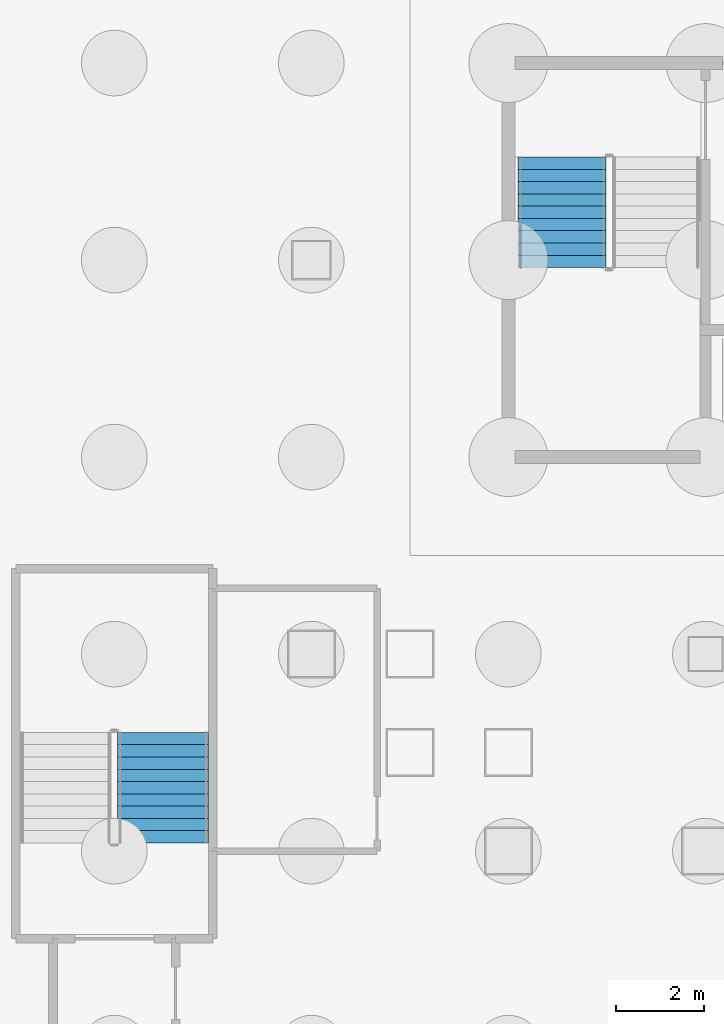
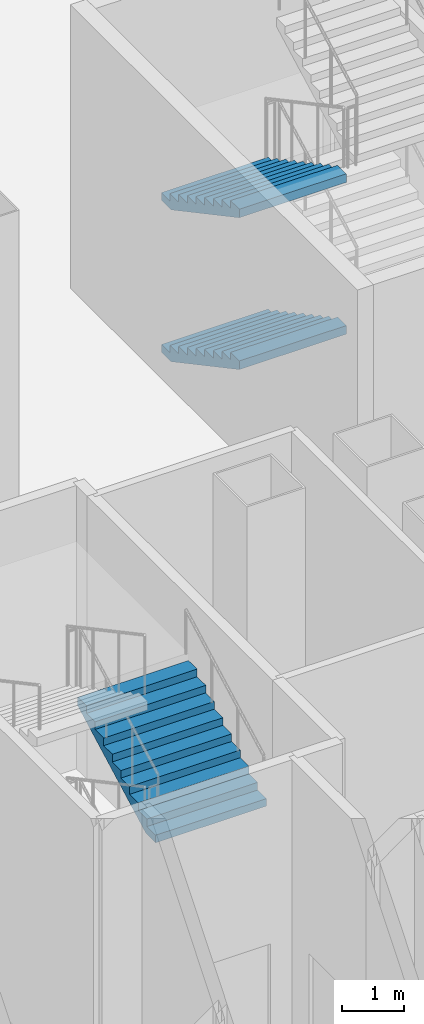
# One storey, part 9 of 25: 3 stair flights, 2 elements without a shape of their own.
"""IFC4 building model written with IfcOpenShell, lengths in metres."""

from ifc_helpers import new_model, si_unit, direction, frame, origin, place, context, subcontext, project, spatial, polygons, material, type_object, element, aggregate, save


model = new_model("IFC4")

# Units and contexts
model_context = context("Model", 3, precision=1e-05, world=origin(), true_north=direction((0.0, 1.0)))
body_context = subcontext(model_context, "Body", "Model", "MODEL_VIEW")
ifc_project = project(units=[si_unit("LENGTHUNIT", "METRE"), si_unit("AREAUNIT", "SQUARE_METRE"), si_unit("VOLUMEUNIT", "CUBIC_METRE"), si_unit("PLANEANGLEUNIT", "RADIAN"), si_unit("MASSUNIT", "GRAM", prefix="KILO")], contexts=[model_context])

# Site, building, storey
site_placement = place(None, origin())
site = spatial("IfcSite", under=ifc_project, at=site_placement, CompositionType="ELEMENT")
building_placement = place(site_placement, origin())
building = spatial("IfcBuilding", under=site, at=building_placement, Name="Caravel Reach Hotel and Residences", CompositionType="ELEMENT")
storey_placement = place(building_placement, frame((0.0, 0.0, -6.0)))
storey = spatial("IfcBuildingStorey", under=building, at=storey_placement, Name="B1", CompositionType="ELEMENT", Elevation=-6.0)

# Stair, stair flights
ifc_material_1 = material(Name="Concrete C40", Category="concrete")
stair_type = type_object("IfcStairType", Name="Core stair", PredefinedType="HALF_TURN_STAIR", material=ifc_material_1)
stair_1_placement = place(storey_placement, origin())
stair_1 = element("IfcStair", 1, at=stair_1_placement, inside=storey, type_object=stair_type, Name="B1 Exit stair A", PredefinedType="HALF_TURN_STAIR")
ifc_material_2 = material(Name="Concrete C40", Category="concrete")
stair_flight_type = type_object("IfcStairFlightType", Name="Core stair flight", PredefinedType="STRAIGHT", material=ifc_material_2)
stair_flight_1_placement = place(storey_placement, frame((19.22509765625, 29.35009765625, 0.0), z_axis=(0.0, 0.0, 1.0), x_axis=(0.0, -1.0, 0.0)))
stair_flight_1 = element("IfcStairFlight", 2, at=stair_flight_1_placement, type_object=stair_flight_type, Name="ST-A flight 1", NumberOfRisers=10, NumberOfTreads=9, PredefinedType="STRAIGHT", RiserHeight=0.15, TreadLength=0.28, context=body_context, shape_type="Tessellation", body=[
    polygons([(0.3174408016601862, 1.0, 0.0), (0.3174408016601862, 0.6666666666666667, 0.0), (0.3174408016601862, 0.33333333333333337, 0.0), (0.3174408016601862, 0.0, 0.0), (0.3174408016601862, -0.33333333333333326, 0.0), (0.3174408016601862, -0.6666666666666667, 0.0), (0.3174408016601862, -1.0, 0.0), (2.5210000000000004, 1.0, 1.1799424276820432), (2.5210000000000004, 0.6666666666666667, 1.1799424276820432), (2.5210000000000004, 0.33333333333333337, 1.1799424276820432), (2.5210000000000004, 0.0, 1.1799424276820432), (2.5210000000000004, -0.33333333333333326, 1.1799424276820432), (2.5210000000000004, -0.6666666666666667, 1.1799424276820432), (2.5210000000000004, -1.0, 1.1799424276820432), (2.5210000000000004, 1.0, 1.3499999999999999), (2.5210000000000004, 0.6666666666666667, 1.3499999999999999), (2.5210000000000004, 0.33333333333333337, 1.3499999999999999), (2.5210000000000004, 0.0, 1.3499999999999999), (2.5210000000000004, -0.33333333333333326, 1.3499999999999999), (2.5210000000000004, -0.6666666666666667, 1.3499999999999999), (2.5210000000000004, -1.0, 1.3499999999999999), (2.24, 1.0, 1.3499999999999999), (2.24, 0.6666666666666667, 1.3499999999999999), (2.24, 0.33333333333333337, 1.3499999999999999), (2.24, 0.0, 1.3499999999999999), (2.24, -0.33333333333333326, 1.3499999999999999), (2.24, -0.6666666666666667, 1.3499999999999999), (2.24, -1.0, 1.3499999999999999), (2.24, 1.0, 1.2), (2.24, 0.6666666666666667, 1.2), (2.24, 0.33333333333333337, 1.2), (2.24, 0.0, 1.2), (2.24, -0.33333333333333326, 1.2), (2.24, -0.6666666666666667, 1.2), (2.24, -1.0, 1.2), (1.9600000000000002, 1.0, 1.2), (1.9600000000000002, 0.6666666666666667, 1.2), (1.9600000000000002, 0.33333333333333337, 1.2), (1.9600000000000002, 0.0, 1.2), (1.9600000000000002, -0.33333333333333326, 1.2), (1.9600000000000002, -0.6666666666666667, 1.2), (1.9600000000000002, -1.0, 1.2), (1.9600000000000002, 1.0, 1.05), (1.9600000000000002, 0.6666666666666667, 1.05), (1.9600000000000002, 0.33333333333333337, 1.05), (1.9600000000000002, 0.0, 1.05), (1.9600000000000002, -0.33333333333333326, 1.05), (1.9600000000000002, -0.6666666666666667, 1.05), (1.9600000000000002, -1.0, 1.05), (1.6800000000000002, 1.0, 1.05), (1.6800000000000002, 0.6666666666666667, 1.05), (1.6800000000000002, 0.33333333333333337, 1.05), (1.6800000000000002, 0.0, 1.05), (1.6800000000000002, -0.33333333333333326, 1.05), (1.6800000000000002, -0.6666666666666667, 1.05), (1.6800000000000002, -1.0, 1.05), (1.6800000000000002, 1.0, 0.8999999999999999), (1.6800000000000002, 0.6666666666666667, 0.8999999999999999), (1.6800000000000002, 0.33333333333333337, 0.8999999999999999), (1.6800000000000002, 0.0, 0.8999999999999999), (1.6800000000000002, -0.33333333333333326, 0.8999999999999999), (1.6800000000000002, -0.6666666666666667, 0.8999999999999999), (1.6800000000000002, -1.0, 0.8999999999999999), (1.4000000000000001, 1.0, 0.8999999999999999), (1.4000000000000001, 0.6666666666666667, 0.8999999999999999), (1.4000000000000001, 0.33333333333333337, 0.8999999999999999), (1.4000000000000001, 0.0, 0.8999999999999999), (1.4000000000000001, -0.33333333333333326, 0.8999999999999999), (1.4000000000000001, -0.6666666666666667, 0.8999999999999999), (1.4000000000000001, -1.0, 0.8999999999999999), (1.4000000000000001, 1.0, 0.75), (1.4000000000000001, 0.6666666666666667, 0.75), (1.4000000000000001, 0.33333333333333337, 0.75), (1.4000000000000001, 0.0, 0.75), (1.4000000000000001, -0.33333333333333326, 0.75), (1.4000000000000001, -0.6666666666666667, 0.75), (1.4000000000000001, -1.0, 0.75), (1.12, 1.0, 0.75), (1.12, 0.6666666666666667, 0.75), (1.12, 0.33333333333333337, 0.75), (1.12, 0.0, 0.75), (1.12, -0.33333333333333326, 0.75), (1.12, -0.6666666666666667, 0.75), (1.12, -1.0, 0.75), (1.12, 1.0, 0.6), (1.12, 0.6666666666666667, 0.6), (1.12, 0.33333333333333337, 0.6), (1.12, 0.0, 0.6), (1.12, -0.33333333333333326, 0.6), (1.12, -0.6666666666666667, 0.6), (1.12, -1.0, 0.6), (0.8400000000000001, 1.0, 0.6), (0.8400000000000001, 0.6666666666666667, 0.6), (0.8400000000000001, 0.33333333333333337, 0.6), (0.8400000000000001, 0.0, 0.6), (0.8400000000000001, -0.33333333333333326, 0.6), (0.8400000000000001, -0.6666666666666667, 0.6), (0.8400000000000001, -1.0, 0.6), (0.8400000000000001, 1.0, 0.44999999999999996), (0.8400000000000001, 0.6666666666666667, 0.44999999999999996), (0.8400000000000001, 0.33333333333333337, 0.44999999999999996), (0.8400000000000001, 0.0, 0.44999999999999996), (0.8400000000000001, -0.33333333333333326, 0.44999999999999996), (0.8400000000000001, -0.6666666666666667, 0.44999999999999996), (0.8400000000000001, -1.0, 0.44999999999999996), (0.56, 1.0, 0.44999999999999996), (0.56, 0.6666666666666667, 0.44999999999999996), (0.56, 0.33333333333333337, 0.44999999999999996), (0.56, 0.0, 0.44999999999999996), (0.56, -0.33333333333333326, 0.44999999999999996), (0.56, -0.6666666666666667, 0.44999999999999996), (0.56, -1.0, 0.44999999999999996), (0.56, 1.0, 0.3), (0.56, 0.6666666666666667, 0.3), (0.56, 0.33333333333333337, 0.3), (0.56, 0.0, 0.3), (0.56, -0.33333333333333326, 0.3), (0.56, -0.6666666666666667, 0.3), (0.56, -1.0, 0.3), (0.28, 1.0, 0.3), (0.28, 0.6666666666666667, 0.3), (0.28, 0.33333333333333337, 0.3), (0.28, 0.0, 0.3), (0.28, -0.33333333333333326, 0.3), (0.28, -0.6666666666666667, 0.3), (0.28, -1.0, 0.3), (0.28, 1.0, 0.15), (0.28, 0.6666666666666667, 0.15), (0.28, 0.33333333333333337, 0.15), (0.28, 0.0, 0.15), (0.28, -0.33333333333333326, 0.15), (0.28, -0.6666666666666667, 0.15), (0.28, -1.0, 0.15), (-0.001, 1.0, 0.15), (-0.001, 0.6666666666666667, 0.15), (-0.001, 0.33333333333333337, 0.15), (-0.001, 0.0, 0.15), (-0.001, -0.33333333333333326, 0.15), (-0.001, -0.6666666666666667, 0.15), (-0.001, -1.0, 0.15), (-0.001, 1.0, 0.0), (-0.001, 0.6666666666666667, 0.0), (-0.001, 0.33333333333333337, 0.0), (-0.001, 0.0, 0.0), (-0.001, -0.33333333333333326, 0.0), (-0.001, -0.6666666666666667, 0.0), (-0.001, -1.0, 0.0)], [[[141, 134, 127, 120, 113, 106, 99, 92, 85, 78, 71, 64, 57, 50, 43, 36, 29, 22, 15, 8, 1]], [[7, 14, 21, 28, 35, 42, 49, 56, 63, 70, 77, 84, 91, 98, 105, 112, 119, 126, 133, 140, 147]], [[1, 8, 9, 2]], [[2, 9, 10, 3]], [[3, 10, 11, 4]], [[4, 11, 12, 5]], [[5, 12, 13, 6]], [[6, 13, 14, 7]], [[8, 15, 16, 9]], [[9, 16, 17, 10]], [[10, 17, 18, 11]], [[11, 18, 19, 12]], [[12, 19, 20, 13]], [[13, 20, 21, 14]], [[15, 22, 23, 16]], [[16, 23, 24, 17]], [[17, 24, 25, 18]], [[18, 25, 26, 19]], [[19, 26, 27, 20]], [[20, 27, 28, 21]], [[22, 29, 30, 23]], [[23, 30, 31, 24]], [[24, 31, 32, 25]], [[25, 32, 33, 26]], [[26, 33, 34, 27]], [[27, 34, 35, 28]], [[29, 36, 37, 30]], [[30, 37, 38, 31]], [[31, 38, 39, 32]], [[32, 39, 40, 33]], [[33, 40, 41, 34]], [[34, 41, 42, 35]], [[36, 43, 44, 37]], [[37, 44, 45, 38]], [[38, 45, 46, 39]], [[39, 46, 47, 40]], [[40, 47, 48, 41]], [[41, 48, 49, 42]], [[43, 50, 51, 44]], [[44, 51, 52, 45]], [[45, 52, 53, 46]], [[46, 53, 54, 47]], [[47, 54, 55, 48]], [[48, 55, 56, 49]], [[50, 57, 58, 51]], [[51, 58, 59, 52]], [[52, 59, 60, 53]], [[53, 60, 61, 54]], [[54, 61, 62, 55]], [[55, 62, 63, 56]], [[57, 64, 65, 58]], [[58, 65, 66, 59]], [[59, 66, 67, 60]], [[60, 67, 68, 61]], [[61, 68, 69, 62]], [[62, 69, 70, 63]], [[64, 71, 72, 65]], [[65, 72, 73, 66]], [[66, 73, 74, 67]], [[67, 74, 75, 68]], [[68, 75, 76, 69]], [[69, 76, 77, 70]], [[71, 78, 79, 72]], [[72, 79, 80, 73]], [[73, 80, 81, 74]], [[74, 81, 82, 75]], [[75, 82, 83, 76]], [[76, 83, 84, 77]], [[78, 85, 86, 79]], [[79, 86, 87, 80]], [[80, 87, 88, 81]], [[81, 88, 89, 82]], [[82, 89, 90, 83]], [[83, 90, 91, 84]], [[85, 92, 93, 86]], [[86, 93, 94, 87]], [[87, 94, 95, 88]], [[88, 95, 96, 89]], [[89, 96, 97, 90]], [[90, 97, 98, 91]], [[92, 99, 100, 93]], [[93, 100, 101, 94]], [[94, 101, 102, 95]], [[95, 102, 103, 96]], [[96, 103, 104, 97]], [[97, 104, 105, 98]], [[99, 106, 107, 100]], [[100, 107, 108, 101]], [[101, 108, 109, 102]], [[102, 109, 110, 103]], [[103, 110, 111, 104]], [[104, 111, 112, 105]], [[106, 113, 114, 107]], [[107, 114, 115, 108]], [[108, 115, 116, 109]], [[109, 116, 117, 110]], [[110, 117, 118, 111]], [[111, 118, 119, 112]], [[113, 120, 121, 114]], [[114, 121, 122, 115]], [[115, 122, 123, 116]], [[116, 123, 124, 117]], [[117, 124, 125, 118]], [[118, 125, 126, 119]], [[120, 127, 128, 121]], [[121, 128, 129, 122]], [[122, 129, 130, 123]], [[123, 130, 131, 124]], [[124, 131, 132, 125]], [[125, 132, 133, 126]], [[127, 134, 135, 128]], [[128, 135, 136, 129]], [[129, 136, 137, 130]], [[130, 137, 138, 131]], [[131, 138, 139, 132]], [[132, 139, 140, 133]], [[134, 141, 142, 135]], [[135, 142, 143, 136]], [[136, 143, 144, 137]], [[137, 144, 145, 138]], [[138, 145, 146, 139]], [[139, 146, 147, 140]], [[141, 1, 2, 142]], [[142, 2, 3, 143]], [[143, 3, 4, 144]], [[144, 4, 5, 145]], [[145, 5, 6, 146]], [[146, 6, 7, 147]]], closed=True),
])
stair_flight_2_placement = place(storey_placement, frame((19.22509765625, 29.35009765625, 3.0), z_axis=(0.0, 0.0, 1.0), x_axis=(0.0, -1.0, 0.0)))
stair_flight_2 = element("IfcStairFlight", 3, at=stair_flight_2_placement, type_object=stair_flight_type, Name="ST-A flight 3", NumberOfRisers=10, NumberOfTreads=9, PredefinedType="STRAIGHT", RiserHeight=0.15, TreadLength=0.28, context=body_context, shape_type="Tessellation", body=[
    polygons([(0.3174408016601862, 1.0, 0.0), (0.3174408016601862, 0.6666666666666667, 0.0), (0.3174408016601862, 0.33333333333333337, 0.0), (0.3174408016601862, 0.0, 0.0), (0.3174408016601862, -0.33333333333333326, 0.0), (0.3174408016601862, -0.6666666666666667, 0.0), (0.3174408016601862, -1.0, 0.0), (2.5210000000000004, 1.0, 1.1799424276820432), (2.5210000000000004, 0.6666666666666667, 1.1799424276820432), (2.5210000000000004, 0.33333333333333337, 1.1799424276820432), (2.5210000000000004, 0.0, 1.1799424276820432), (2.5210000000000004, -0.33333333333333326, 1.1799424276820432), (2.5210000000000004, -0.6666666666666667, 1.1799424276820432), (2.5210000000000004, -1.0, 1.1799424276820432), (2.5210000000000004, 1.0, 1.3499999999999999), (2.5210000000000004, 0.6666666666666667, 1.3499999999999999), (2.5210000000000004, 0.33333333333333337, 1.3499999999999999), (2.5210000000000004, 0.0, 1.3499999999999999), (2.5210000000000004, -0.33333333333333326, 1.3499999999999999), (2.5210000000000004, -0.6666666666666667, 1.3499999999999999), (2.5210000000000004, -1.0, 1.3499999999999999), (2.24, 1.0, 1.3499999999999999), (2.24, 0.6666666666666667, 1.3499999999999999), (2.24, 0.33333333333333337, 1.3499999999999999), (2.24, 0.0, 1.3499999999999999), (2.24, -0.33333333333333326, 1.3499999999999999), (2.24, -0.6666666666666667, 1.3499999999999999), (2.24, -1.0, 1.3499999999999999), (2.24, 1.0, 1.2), (2.24, 0.6666666666666667, 1.2), (2.24, 0.33333333333333337, 1.2), (2.24, 0.0, 1.2), (2.24, -0.33333333333333326, 1.2), (2.24, -0.6666666666666667, 1.2), (2.24, -1.0, 1.2), (1.9600000000000002, 1.0, 1.2), (1.9600000000000002, 0.6666666666666667, 1.2), (1.9600000000000002, 0.33333333333333337, 1.2), (1.9600000000000002, 0.0, 1.2), (1.9600000000000002, -0.33333333333333326, 1.2), (1.9600000000000002, -0.6666666666666667, 1.2), (1.9600000000000002, -1.0, 1.2), (1.9600000000000002, 1.0, 1.05), (1.9600000000000002, 0.6666666666666667, 1.05), (1.9600000000000002, 0.33333333333333337, 1.05), (1.9600000000000002, 0.0, 1.05), (1.9600000000000002, -0.33333333333333326, 1.05), (1.9600000000000002, -0.6666666666666667, 1.05), (1.9600000000000002, -1.0, 1.05), (1.6800000000000002, 1.0, 1.05), (1.6800000000000002, 0.6666666666666667, 1.05), (1.6800000000000002, 0.33333333333333337, 1.05), (1.6800000000000002, 0.0, 1.05), (1.6800000000000002, -0.33333333333333326, 1.05), (1.6800000000000002, -0.6666666666666667, 1.05), (1.6800000000000002, -1.0, 1.05), (1.6800000000000002, 1.0, 0.8999999999999999), (1.6800000000000002, 0.6666666666666667, 0.8999999999999999), (1.6800000000000002, 0.33333333333333337, 0.8999999999999999), (1.6800000000000002, 0.0, 0.8999999999999999), (1.6800000000000002, -0.33333333333333326, 0.8999999999999999), (1.6800000000000002, -0.6666666666666667, 0.8999999999999999), (1.6800000000000002, -1.0, 0.8999999999999999), (1.4000000000000001, 1.0, 0.8999999999999999), (1.4000000000000001, 0.6666666666666667, 0.8999999999999999), (1.4000000000000001, 0.33333333333333337, 0.8999999999999999), (1.4000000000000001, 0.0, 0.8999999999999999), (1.4000000000000001, -0.33333333333333326, 0.8999999999999999), (1.4000000000000001, -0.6666666666666667, 0.8999999999999999), (1.4000000000000001, -1.0, 0.8999999999999999), (1.4000000000000001, 1.0, 0.75), (1.4000000000000001, 0.6666666666666667, 0.75), (1.4000000000000001, 0.33333333333333337, 0.75), (1.4000000000000001, 0.0, 0.75), (1.4000000000000001, -0.33333333333333326, 0.75), (1.4000000000000001, -0.6666666666666667, 0.75), (1.4000000000000001, -1.0, 0.75), (1.12, 1.0, 0.75), (1.12, 0.6666666666666667, 0.75), (1.12, 0.33333333333333337, 0.75), (1.12, 0.0, 0.75), (1.12, -0.33333333333333326, 0.75), (1.12, -0.6666666666666667, 0.75), (1.12, -1.0, 0.75), (1.12, 1.0, 0.6), (1.12, 0.6666666666666667, 0.6), (1.12, 0.33333333333333337, 0.6), (1.12, 0.0, 0.6), (1.12, -0.33333333333333326, 0.6), (1.12, -0.6666666666666667, 0.6), (1.12, -1.0, 0.6), (0.8400000000000001, 1.0, 0.6), (0.8400000000000001, 0.6666666666666667, 0.6), (0.8400000000000001, 0.33333333333333337, 0.6), (0.8400000000000001, 0.0, 0.6), (0.8400000000000001, -0.33333333333333326, 0.6), (0.8400000000000001, -0.6666666666666667, 0.6), (0.8400000000000001, -1.0, 0.6), (0.8400000000000001, 1.0, 0.44999999999999996), (0.8400000000000001, 0.6666666666666667, 0.44999999999999996), (0.8400000000000001, 0.33333333333333337, 0.44999999999999996), (0.8400000000000001, 0.0, 0.44999999999999996), (0.8400000000000001, -0.33333333333333326, 0.44999999999999996), (0.8400000000000001, -0.6666666666666667, 0.44999999999999996), (0.8400000000000001, -1.0, 0.44999999999999996), (0.56, 1.0, 0.44999999999999996), (0.56, 0.6666666666666667, 0.44999999999999996), (0.56, 0.33333333333333337, 0.44999999999999996), (0.56, 0.0, 0.44999999999999996), (0.56, -0.33333333333333326, 0.44999999999999996), (0.56, -0.6666666666666667, 0.44999999999999996), (0.56, -1.0, 0.44999999999999996), (0.56, 1.0, 0.3), (0.56, 0.6666666666666667, 0.3), (0.56, 0.33333333333333337, 0.3), (0.56, 0.0, 0.3), (0.56, -0.33333333333333326, 0.3), (0.56, -0.6666666666666667, 0.3), (0.56, -1.0, 0.3), (0.28, 1.0, 0.3), (0.28, 0.6666666666666667, 0.3), (0.28, 0.33333333333333337, 0.3), (0.28, 0.0, 0.3), (0.28, -0.33333333333333326, 0.3), (0.28, -0.6666666666666667, 0.3), (0.28, -1.0, 0.3), (0.28, 1.0, 0.15), (0.28, 0.6666666666666667, 0.15), (0.28, 0.33333333333333337, 0.15), (0.28, 0.0, 0.15), (0.28, -0.33333333333333326, 0.15), (0.28, -0.6666666666666667, 0.15), (0.28, -1.0, 0.15), (-0.001, 1.0, 0.15), (-0.001, 0.6666666666666667, 0.15), (-0.001, 0.33333333333333337, 0.15), (-0.001, 0.0, 0.15), (-0.001, -0.33333333333333326, 0.15), (-0.001, -0.6666666666666667, 0.15), (-0.001, -1.0, 0.15), (-0.001, 1.0, 0.0), (-0.001, 0.6666666666666667, 0.0), (-0.001, 0.33333333333333337, 0.0), (-0.001, 0.0, 0.0), (-0.001, -0.33333333333333326, 0.0), (-0.001, -0.6666666666666667, 0.0), (-0.001, -1.0, 0.0)], [[[141, 134, 127, 120, 113, 106, 99, 92, 85, 78, 71, 64, 57, 50, 43, 36, 29, 22, 15, 8, 1]], [[7, 14, 21, 28, 35, 42, 49, 56, 63, 70, 77, 84, 91, 98, 105, 112, 119, 126, 133, 140, 147]], [[1, 8, 9, 2]], [[2, 9, 10, 3]], [[3, 10, 11, 4]], [[4, 11, 12, 5]], [[5, 12, 13, 6]], [[6, 13, 14, 7]], [[8, 15, 16, 9]], [[9, 16, 17, 10]], [[10, 17, 18, 11]], [[11, 18, 19, 12]], [[12, 19, 20, 13]], [[13, 20, 21, 14]], [[15, 22, 23, 16]], [[16, 23, 24, 17]], [[17, 24, 25, 18]], [[18, 25, 26, 19]], [[19, 26, 27, 20]], [[20, 27, 28, 21]], [[22, 29, 30, 23]], [[23, 30, 31, 24]], [[24, 31, 32, 25]], [[25, 32, 33, 26]], [[26, 33, 34, 27]], [[27, 34, 35, 28]], [[29, 36, 37, 30]], [[30, 37, 38, 31]], [[31, 38, 39, 32]], [[32, 39, 40, 33]], [[33, 40, 41, 34]], [[34, 41, 42, 35]], [[36, 43, 44, 37]], [[37, 44, 45, 38]], [[38, 45, 46, 39]], [[39, 46, 47, 40]], [[40, 47, 48, 41]], [[41, 48, 49, 42]], [[43, 50, 51, 44]], [[44, 51, 52, 45]], [[45, 52, 53, 46]], [[46, 53, 54, 47]], [[47, 54, 55, 48]], [[48, 55, 56, 49]], [[50, 57, 58, 51]], [[51, 58, 59, 52]], [[52, 59, 60, 53]], [[53, 60, 61, 54]], [[54, 61, 62, 55]], [[55, 62, 63, 56]], [[57, 64, 65, 58]], [[58, 65, 66, 59]], [[59, 66, 67, 60]], [[60, 67, 68, 61]], [[61, 68, 69, 62]], [[62, 69, 70, 63]], [[64, 71, 72, 65]], [[65, 72, 73, 66]], [[66, 73, 74, 67]], [[67, 74, 75, 68]], [[68, 75, 76, 69]], [[69, 76, 77, 70]], [[71, 78, 79, 72]], [[72, 79, 80, 73]], [[73, 80, 81, 74]], [[74, 81, 82, 75]], [[75, 82, 83, 76]], [[76, 83, 84, 77]], [[78, 85, 86, 79]], [[79, 86, 87, 80]], [[80, 87, 88, 81]], [[81, 88, 89, 82]], [[82, 89, 90, 83]], [[83, 90, 91, 84]], [[85, 92, 93, 86]], [[86, 93, 94, 87]], [[87, 94, 95, 88]], [[88, 95, 96, 89]], [[89, 96, 97, 90]], [[90, 97, 98, 91]], [[92, 99, 100, 93]], [[93, 100, 101, 94]], [[94, 101, 102, 95]], [[95, 102, 103, 96]], [[96, 103, 104, 97]], [[97, 104, 105, 98]], [[99, 106, 107, 100]], [[100, 107, 108, 101]], [[101, 108, 109, 102]], [[102, 109, 110, 103]], [[103, 110, 111, 104]], [[104, 111, 112, 105]], [[106, 113, 114, 107]], [[107, 114, 115, 108]], [[108, 115, 116, 109]], [[109, 116, 117, 110]], [[110, 117, 118, 111]], [[111, 118, 119, 112]], [[113, 120, 121, 114]], [[114, 121, 122, 115]], [[115, 122, 123, 116]], [[116, 123, 124, 117]], [[117, 124, 125, 118]], [[118, 125, 126, 119]], [[120, 127, 128, 121]], [[121, 128, 129, 122]], [[122, 129, 130, 123]], [[123, 130, 131, 124]], [[124, 131, 132, 125]], [[125, 132, 133, 126]], [[127, 134, 135, 128]], [[128, 135, 136, 129]], [[129, 136, 137, 130]], [[130, 137, 138, 131]], [[131, 138, 139, 132]], [[132, 139, 140, 133]], [[134, 141, 142, 135]], [[135, 142, 143, 136]], [[136, 143, 144, 137]], [[137, 144, 145, 138]], [[138, 145, 146, 139]], [[139, 146, 147, 140]], [[141, 1, 2, 142]], [[142, 2, 3, 143]], [[143, 3, 4, 144]], [[144, 4, 5, 145]], [[145, 5, 6, 146]], [[146, 6, 7, 147]]], closed=True),
])
aggregate(stair_1, [stair_flight_1, stair_flight_2])

# Stair, stair flight
stair_2_placement = place(storey_placement, origin())
stair_2 = element("IfcStair", 4, at=stair_2_placement, inside=storey, type_object=stair_type, Name="B1 Exit stair P3", PredefinedType="HALF_TURN_STAIR")
stair_flight_3_placement = place(storey_placement, frame((10.110107421875, 13.68994140625, 3.0), z_axis=(0.0, 0.0, 1.0), x_axis=(0.0, 1.0, 0.0)))
stair_flight_3 = element("IfcStairFlight", 5, at=stair_flight_3_placement, type_object=stair_flight_type, Name="ST-P3 flight 3", NumberOfRisers=10, NumberOfTreads=9, PredefinedType="STRAIGHT", RiserHeight=0.15, TreadLength=0.28, context=body_context, shape_type="Tessellation", body=[
    polygons([(0.3174408016601862, 1.0350341796875, 0.0), (0.3174408016601862, 0.6900227864583333, 0.0), (0.3174408016601862, 0.34501139322916663, 0.0), (0.3174408016601862, 0.0, 0.0), (0.3174408016601862, -0.34501139322916674, 0.0), (0.3174408016601862, -0.6900227864583333, 0.0), (0.3174408016601862, -1.0350341796875, 0.0), (2.5210000000000004, 1.0350341796875, 1.1799424276820432), (2.5210000000000004, 0.6900227864583333, 1.1799424276820432), (2.5210000000000004, 0.34501139322916663, 1.1799424276820432), (2.5210000000000004, 0.0, 1.1799424276820432), (2.5210000000000004, -0.34501139322916674, 1.1799424276820432), (2.5210000000000004, -0.6900227864583333, 1.1799424276820432), (2.5210000000000004, -1.0350341796875, 1.1799424276820432), (2.5210000000000004, 1.0350341796875, 1.3499999999999999), (2.5210000000000004, 0.6900227864583333, 1.3499999999999999), (2.5210000000000004, 0.34501139322916663, 1.3499999999999999), (2.5210000000000004, 0.0, 1.3499999999999999), (2.5210000000000004, -0.34501139322916674, 1.3499999999999999), (2.5210000000000004, -0.6900227864583333, 1.3499999999999999), (2.5210000000000004, -1.0350341796875, 1.3499999999999999), (2.24, 1.0350341796875, 1.3499999999999999), (2.24, 0.6900227864583333, 1.3499999999999999), (2.24, 0.34501139322916663, 1.3499999999999999), (2.24, 0.0, 1.3499999999999999), (2.24, -0.34501139322916674, 1.3499999999999999), (2.24, -0.6900227864583333, 1.3499999999999999), (2.24, -1.0350341796875, 1.3499999999999999), (2.24, 1.0350341796875, 1.2), (2.24, 0.6900227864583333, 1.2), (2.24, 0.34501139322916663, 1.2), (2.24, 0.0, 1.2), (2.24, -0.34501139322916674, 1.2), (2.24, -0.6900227864583333, 1.2), (2.24, -1.0350341796875, 1.2), (1.9600000000000002, 1.0350341796875, 1.2), (1.9600000000000002, 0.6900227864583333, 1.2), (1.9600000000000002, 0.34501139322916663, 1.2), (1.9600000000000002, 0.0, 1.2), (1.9600000000000002, -0.34501139322916674, 1.2), (1.9600000000000002, -0.6900227864583333, 1.2), (1.9600000000000002, -1.0350341796875, 1.2), (1.9600000000000002, 1.0350341796875, 1.05), (1.9600000000000002, 0.6900227864583333, 1.05), (1.9600000000000002, 0.34501139322916663, 1.05), (1.9600000000000002, 0.0, 1.05), (1.9600000000000002, -0.34501139322916674, 1.05), (1.9600000000000002, -0.6900227864583333, 1.05), (1.9600000000000002, -1.0350341796875, 1.05), (1.6800000000000002, 1.0350341796875, 1.05), (1.6800000000000002, 0.6900227864583333, 1.05), (1.6800000000000002, 0.34501139322916663, 1.05), (1.6800000000000002, 0.0, 1.05), (1.6800000000000002, -0.34501139322916674, 1.05), (1.6800000000000002, -0.6900227864583333, 1.05), (1.6800000000000002, -1.0350341796875, 1.05), (1.6800000000000002, 1.0350341796875, 0.8999999999999999), (1.6800000000000002, 0.6900227864583333, 0.8999999999999999), (1.6800000000000002, 0.34501139322916663, 0.8999999999999999), (1.6800000000000002, 0.0, 0.8999999999999999), (1.6800000000000002, -0.34501139322916674, 0.8999999999999999), (1.6800000000000002, -0.6900227864583333, 0.8999999999999999), (1.6800000000000002, -1.0350341796875, 0.8999999999999999), (1.4000000000000001, 1.0350341796875, 0.8999999999999999), (1.4000000000000001, 0.6900227864583333, 0.8999999999999999), (1.4000000000000001, 0.34501139322916663, 0.8999999999999999), (1.4000000000000001, 0.0, 0.8999999999999999), (1.4000000000000001, -0.34501139322916674, 0.8999999999999999), (1.4000000000000001, -0.6900227864583333, 0.8999999999999999), (1.4000000000000001, -1.0350341796875, 0.8999999999999999), (1.4000000000000001, 1.0350341796875, 0.75), (1.4000000000000001, 0.6900227864583333, 0.75), (1.4000000000000001, 0.34501139322916663, 0.75), (1.4000000000000001, 0.0, 0.75), (1.4000000000000001, -0.34501139322916674, 0.75), (1.4000000000000001, -0.6900227864583333, 0.75), (1.4000000000000001, -1.0350341796875, 0.75), (1.12, 1.0350341796875, 0.75), (1.12, 0.6900227864583333, 0.75), (1.12, 0.34501139322916663, 0.75), (1.12, 0.0, 0.75), (1.12, -0.34501139322916674, 0.75), (1.12, -0.6900227864583333, 0.75), (1.12, -1.0350341796875, 0.75), (1.12, 1.0350341796875, 0.6), (1.12, 0.6900227864583333, 0.6), (1.12, 0.34501139322916663, 0.6), (1.12, 0.0, 0.6), (1.12, -0.34501139322916674, 0.6), (1.12, -0.6900227864583333, 0.6), (1.12, -1.0350341796875, 0.6), (0.8400000000000001, 1.0350341796875, 0.6), (0.8400000000000001, 0.6900227864583333, 0.6), (0.8400000000000001, 0.34501139322916663, 0.6), (0.8400000000000001, 0.0, 0.6), (0.8400000000000001, -0.34501139322916674, 0.6), (0.8400000000000001, -0.6900227864583333, 0.6), (0.8400000000000001, -1.0350341796875, 0.6), (0.8400000000000001, 1.0350341796875, 0.44999999999999996), (0.8400000000000001, 0.6900227864583333, 0.44999999999999996), (0.8400000000000001, 0.34501139322916663, 0.44999999999999996), (0.8400000000000001, 0.0, 0.44999999999999996), (0.8400000000000001, -0.34501139322916674, 0.44999999999999996), (0.8400000000000001, -0.6900227864583333, 0.44999999999999996), (0.8400000000000001, -1.0350341796875, 0.44999999999999996), (0.56, 1.0350341796875, 0.44999999999999996), (0.56, 0.6900227864583333, 0.44999999999999996), (0.56, 0.34501139322916663, 0.44999999999999996), (0.56, 0.0, 0.44999999999999996), (0.56, -0.34501139322916674, 0.44999999999999996), (0.56, -0.6900227864583333, 0.44999999999999996), (0.56, -1.0350341796875, 0.44999999999999996), (0.56, 1.0350341796875, 0.3), (0.56, 0.6900227864583333, 0.3), (0.56, 0.34501139322916663, 0.3), (0.56, 0.0, 0.3), (0.56, -0.34501139322916674, 0.3), (0.56, -0.6900227864583333, 0.3), (0.56, -1.0350341796875, 0.3), (0.28, 1.0350341796875, 0.3), (0.28, 0.6900227864583333, 0.3), (0.28, 0.34501139322916663, 0.3), (0.28, 0.0, 0.3), (0.28, -0.34501139322916674, 0.3), (0.28, -0.6900227864583333, 0.3), (0.28, -1.0350341796875, 0.3), (0.28, 1.0350341796875, 0.15), (0.28, 0.6900227864583333, 0.15), (0.28, 0.34501139322916663, 0.15), (0.28, 0.0, 0.15), (0.28, -0.34501139322916674, 0.15), (0.28, -0.6900227864583333, 0.15), (0.28, -1.0350341796875, 0.15), (-0.001, 1.0350341796875, 0.15), (-0.001, 0.6900227864583333, 0.15), (-0.001, 0.34501139322916663, 0.15), (-0.001, 0.0, 0.15), (-0.001, -0.34501139322916674, 0.15), (-0.001, -0.6900227864583333, 0.15), (-0.001, -1.0350341796875, 0.15), (-0.001, 1.0350341796875, 0.0), (-0.001, 0.6900227864583333, 0.0), (-0.001, 0.34501139322916663, 0.0), (-0.001, 0.0, 0.0), (-0.001, -0.34501139322916674, 0.0), (-0.001, -0.6900227864583333, 0.0), (-0.001, -1.0350341796875, 0.0)], [[[141, 134, 127, 120, 113, 106, 99, 92, 85, 78, 71, 64, 57, 50, 43, 36, 29, 22, 15, 8, 1]], [[7, 14, 21, 28, 35, 42, 49, 56, 63, 70, 77, 84, 91, 98, 105, 112, 119, 126, 133, 140, 147]], [[1, 8, 9, 2]], [[2, 9, 10, 3]], [[3, 10, 11, 4]], [[4, 11, 12, 5]], [[5, 12, 13, 6]], [[6, 13, 14, 7]], [[8, 15, 16, 9]], [[9, 16, 17, 10]], [[10, 17, 18, 11]], [[11, 18, 19, 12]], [[12, 19, 20, 13]], [[13, 20, 21, 14]], [[15, 22, 23, 16]], [[16, 23, 24, 17]], [[17, 24, 25, 18]], [[18, 25, 26, 19]], [[19, 26, 27, 20]], [[20, 27, 28, 21]], [[22, 29, 30, 23]], [[23, 30, 31, 24]], [[24, 31, 32, 25]], [[25, 32, 33, 26]], [[26, 33, 34, 27]], [[27, 34, 35, 28]], [[29, 36, 37, 30]], [[30, 37, 38, 31]], [[31, 38, 39, 32]], [[32, 39, 40, 33]], [[33, 40, 41, 34]], [[34, 41, 42, 35]], [[36, 43, 44, 37]], [[37, 44, 45, 38]], [[38, 45, 46, 39]], [[39, 46, 47, 40]], [[40, 47, 48, 41]], [[41, 48, 49, 42]], [[43, 50, 51, 44]], [[44, 51, 52, 45]], [[45, 52, 53, 46]], [[46, 53, 54, 47]], [[47, 54, 55, 48]], [[48, 55, 56, 49]], [[50, 57, 58, 51]], [[51, 58, 59, 52]], [[52, 59, 60, 53]], [[53, 60, 61, 54]], [[54, 61, 62, 55]], [[55, 62, 63, 56]], [[57, 64, 65, 58]], [[58, 65, 66, 59]], [[59, 66, 67, 60]], [[60, 67, 68, 61]], [[61, 68, 69, 62]], [[62, 69, 70, 63]], [[64, 71, 72, 65]], [[65, 72, 73, 66]], [[66, 73, 74, 67]], [[67, 74, 75, 68]], [[68, 75, 76, 69]], [[69, 76, 77, 70]], [[71, 78, 79, 72]], [[72, 79, 80, 73]], [[73, 80, 81, 74]], [[74, 81, 82, 75]], [[75, 82, 83, 76]], [[76, 83, 84, 77]], [[78, 85, 86, 79]], [[79, 86, 87, 80]], [[80, 87, 88, 81]], [[81, 88, 89, 82]], [[82, 89, 90, 83]], [[83, 90, 91, 84]], [[85, 92, 93, 86]], [[86, 93, 94, 87]], [[87, 94, 95, 88]], [[88, 95, 96, 89]], [[89, 96, 97, 90]], [[90, 97, 98, 91]], [[92, 99, 100, 93]], [[93, 100, 101, 94]], [[94, 101, 102, 95]], [[95, 102, 103, 96]], [[96, 103, 104, 97]], [[97, 104, 105, 98]], [[99, 106, 107, 100]], [[100, 107, 108, 101]], [[101, 108, 109, 102]], [[102, 109, 110, 103]], [[103, 110, 111, 104]], [[104, 111, 112, 105]], [[106, 113, 114, 107]], [[107, 114, 115, 108]], [[108, 115, 116, 109]], [[109, 116, 117, 110]], [[110, 117, 118, 111]], [[111, 118, 119, 112]], [[113, 120, 121, 114]], [[114, 121, 122, 115]], [[115, 122, 123, 116]], [[116, 123, 124, 117]], [[117, 124, 125, 118]], [[118, 125, 126, 119]], [[120, 127, 128, 121]], [[121, 128, 129, 122]], [[122, 129, 130, 123]], [[123, 130, 131, 124]], [[124, 131, 132, 125]], [[125, 132, 133, 126]], [[127, 134, 135, 128]], [[128, 135, 136, 129]], [[129, 136, 137, 130]], [[130, 137, 138, 131]], [[131, 138, 139, 132]], [[132, 139, 140, 133]], [[134, 141, 142, 135]], [[135, 142, 143, 136]], [[136, 143, 144, 137]], [[137, 144, 145, 138]], [[138, 145, 146, 139]], [[139, 146, 147, 140]], [[141, 1, 2, 142]], [[142, 2, 3, 143]], [[143, 3, 4, 144]], [[144, 4, 5, 145]], [[145, 5, 6, 146]], [[146, 6, 7, 147]]], closed=True),
])
aggregate(stair_2, [stair_flight_3])

save(model, "model.ifc")
